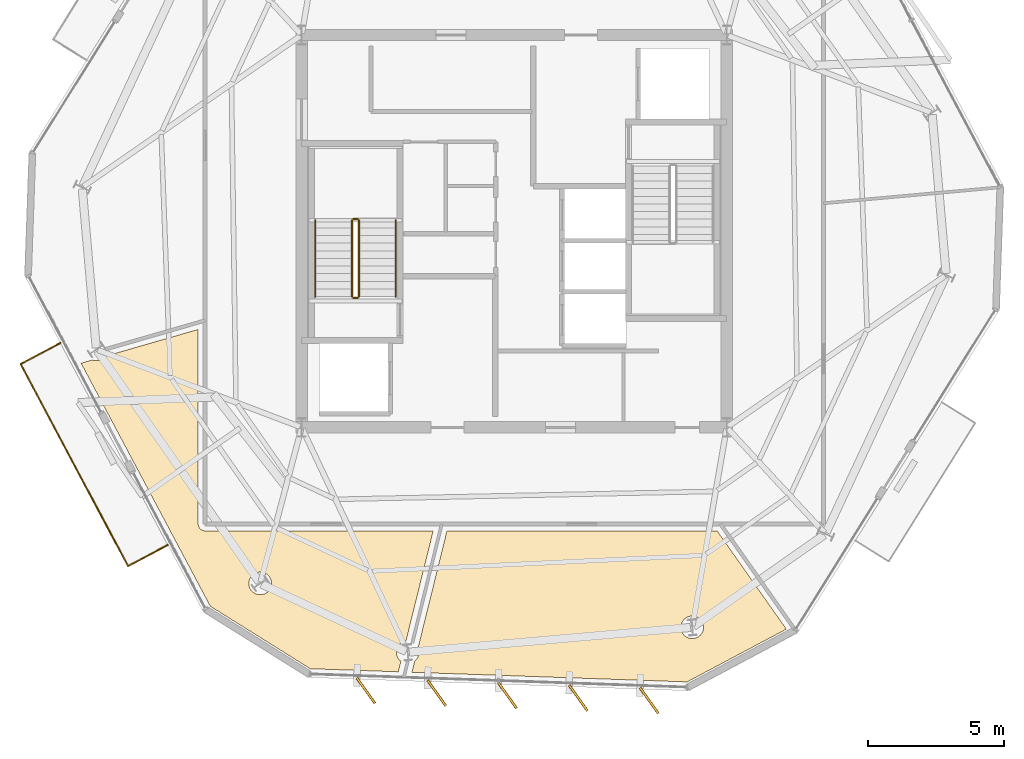
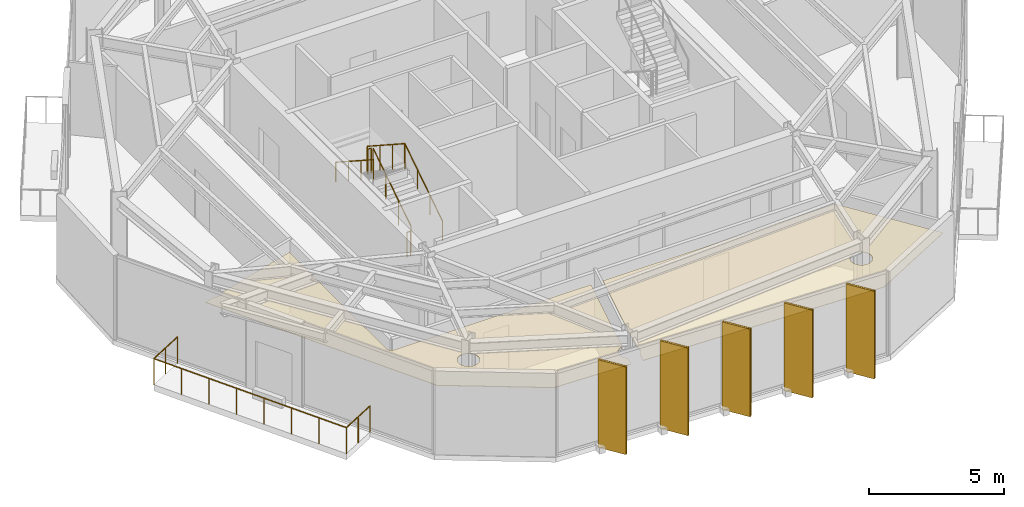
# One storey, part 10 of 12: 7 coverings, 7 railings, 5 shading devices.
"""IFC4 building model written with IfcOpenShell, lengths in metres."""

from ifc_helpers import new_model, si_unit, direction, frame, origin, origin_2d, place, context, subcontext, project, spatial, polyline, rectangle, circle, outline, extrude, material, layer, layer_set, type_object, element, save


model = new_model("IFC4")

# Units and contexts
model_context = context("Model", 3, precision=1e-05, world=origin(), true_north=direction((0.0, 1.0)))
body_context = subcontext(model_context, "Body", "Model", "MODEL_VIEW")
ifc_project = project(units=[si_unit("LENGTHUNIT", "METRE"), si_unit("AREAUNIT", "SQUARE_METRE"), si_unit("VOLUMEUNIT", "CUBIC_METRE"), si_unit("PLANEANGLEUNIT", "RADIAN"), si_unit("MASSUNIT", "GRAM", prefix="KILO")], contexts=[model_context])

# Site, building, storey
site_placement = place(None, origin())
site = spatial("IfcSite", under=ifc_project, at=site_placement, CompositionType="ELEMENT")
building_placement = place(site_placement, origin())
building = spatial("IfcBuilding", under=site, at=building_placement, Name="Kranzbogen Civic Tower", CompositionType="ELEMENT")
storey_placement = place(building_placement, frame((0.0, 0.0, 258.199951171875)))
storey = spatial("IfcBuildingStorey", under=building, at=storey_placement, Name="L62", CompositionType="ELEMENT", Elevation=258.199951171875)

# Coverings
ifc_material_1 = material(Name="Pale Anodised Aluminium", Category="aluminium")
ifc_layer_1 = layer(ifc_material_1, 0.02490234375, Name="Pale Anodised Aluminium")
ifc_layer_set_1 = layer_set([ifc_layer_1], Name="Pale Anodised Aluminium")
covering_type_1 = type_object("IfcCoveringType", Name="Anodised Aluminium Vertical Fin Cladding 25 mm", PredefinedType="CLADDING", material=ifc_layer_set_1)
for number, where, z_axis, x_axis, name in (
    (1, (19.55810546875, 8.139892578125, -0.139892578125), (0.0, 0.0, 1.0), (0.580404527791, -0.814328302419, 0.0), "L62 vertical fin pale-metal cladding F4-1"),
    (2, (22.156982421875, 8.049072265625, -0.139892578125), (0.0, 0.0, 1.0), (0.580404527791, -0.814328302419, 0.0), "L62 vertical fin pale-metal cladding F4-2"),
    (3, (24.7548828125, 7.9580078125, -0.139892578125), (0.0, 0.0, 1.0), (0.580404527791, -0.814328302419, 0.0), "L62 vertical fin pale-metal cladding F4-3"),
    (4, (27.35302734375, 7.866943359375, -0.139892578125), (0.0, 0.0, 1.0), (0.580404527791, -0.814328302419, 0.0), "L62 vertical fin pale-metal cladding F4-4"),
    (5, (29.951904296875, 7.777099609375, -0.139892578125), (0.0, 0.0, 1.0), (0.580404527791, -0.814328302419, 0.0), "L62 vertical fin pale-metal cladding F4-5"),
):
    element("IfcCovering", number, at=place(storey_placement, frame(where, z_axis=z_axis, x_axis=x_axis)), inside=storey, type_object=covering_type_1, Name=name, PredefinedType="CLADDING", context=body_context, shape_type="SweptSolid", body=[
        extrude(rectangle(XDim=1.14990234375, YDim=0.094970703125, at=origin_2d()), origin(), (0.0, 0.0, 1.0), 3.9599609375),
    ])

# Railings
ifc_material_2 = material(Name="Anodised Bronze Aluminium", Category="aluminium")
railing_type_1 = type_object("IfcRailingType", Name="Cantilevered Balcony Glass and Bronze Balustrade 1200", PredefinedType="BALUSTRADE", material=ifc_material_2)
railing_1_placement = place(storey_placement, frame((8.342041015625, 20.89892578125, 0.0)))
element("IfcRailing", 6, at=railing_1_placement, inside=storey, type_object=railing_type_1, Name="L62 exterior terrace balustrade L62-ST", PredefinedType="BALUSTRADE", context=body_context, shape_type="SweptSolid", body=[
    extrude(circle(Radius=0.02392578125, at=origin_2d()), frame((0.0, 0.0, 1.17578125), z_axis=(-0.882901098402, -0.469558995698, 0.0), x_axis=(0.469558995698, -0.882901098402, 0.0)), (0.0, 0.0, 1.0), 1.650390625),
    extrude(circle(Radius=0.02392578125, at=origin_2d()), frame((-1.45703125, -0.77490234375, 1.17578125), z_axis=(0.469444240138, -0.882962120026, 0.0), x_axis=(0.882962120026, 0.469444240138, 0.0)), (0.0, 0.0, 1.0), 8.39892578125),
    extrude(circle(Radius=0.02392578125, at=origin_2d()), frame((2.48583984375, -8.19091796875, 1.17578125), z_axis=(0.882901098402, 0.469558995698, 0.0), x_axis=(-0.469558995698, 0.882901098402, 0.0)), (0.0, 0.0, 1.0), 1.650390625),
    extrude(circle(Radius=0.02099609375, at=origin_2d()), origin(), (0.0, 0.0, 1.0), 1.15185546875),
    extrude(circle(Radius=0.02099609375, at=origin_2d()), frame((-0.728515625, -0.387451171875, 0.0)), (0.0, 0.0, 1.0), 1.15185546875),
    extrude(circle(Radius=0.02099609375, at=origin_2d()), frame((-1.45703125, -0.77490234375, 0.0)), (0.0, 0.0, 1.0), 1.15185546875),
    extrude(circle(Radius=0.02099609375, at=origin_2d()), frame((-0.893798828125, -1.834228515625, 0.0)), (0.0, 0.0, 1.0), 1.15185546875),
    extrude(circle(Radius=0.02099609375, at=origin_2d()), frame((-0.33056640625, -2.893798828125, 0.0)), (0.0, 0.0, 1.0), 1.15185546875),
    extrude(circle(Radius=0.02099609375, at=origin_2d()), frame((0.232666015625, -3.953125, 0.0)), (0.0, 0.0, 1.0), 1.15185546875),
    extrude(circle(Radius=0.02099609375, at=origin_2d()), frame((0.796142578125, -5.0126953125, 0.0)), (0.0, 0.0, 1.0), 1.15185546875),
    extrude(circle(Radius=0.02099609375, at=origin_2d()), frame((1.359375, -6.072021484375, 0.0)), (0.0, 0.0, 1.0), 1.15185546875),
    extrude(circle(Radius=0.02099609375, at=origin_2d()), frame((1.922607421875, -7.131591796875, 0.0)), (0.0, 0.0, 1.0), 1.15185546875),
    extrude(circle(Radius=0.02099609375, at=origin_2d()), frame((2.48583984375, -8.19091796875, 0.0)), (0.0, 0.0, 1.0), 1.15185546875),
    extrude(circle(Radius=0.02099609375, at=origin_2d()), frame((3.21435546875, -7.803466796875, 0.0)), (0.0, 0.0, 1.0), 1.15185546875),
    extrude(circle(Radius=0.02099609375, at=origin_2d()), frame((3.94287109375, -7.416015625, 0.0)), (0.0, 0.0, 1.0), 1.15185546875),
])
ifc_material_3 = material(Name="Steel S355", Category="steel")
railing_type_2 = type_object("IfcRailingType", Name="Internal Stair and Void Steel Guardrail 1150", PredefinedType="GUARDRAIL", material=ifc_material_3)
railing_2_placement = place(storey_placement, frame((19.300048828125, 22.60009765625, 0.181884765625)))
element("IfcRailing", 7, at=railing_2_placement, inside=storey, type_object=railing_type_2, Name="L62 ST-T1 stair guard 1", PredefinedType="GUARDRAIL", context=body_context, shape_type="SweptSolid", body=[
    extrude(circle(Radius=0.02392578125, at=origin_2d()), frame((0.0, 0.0, 1.1259765625), z_axis=(0.0, 0.83868413941, 0.544618136222), x_axis=(-1.0, 0.0, 0.0)), (0.0, 0.0, 1.0), 3.33837890625),
    extrude(circle(Radius=0.02099609375, at=origin_2d()), origin(), (0.0, 0.0, 1.0), 1.101806640625),
    extrude(circle(Radius=0.02099609375, at=origin_2d()), frame((0.0, 0.933349609375, 0.60595703125)), (0.0, 0.0, 1.0), 1.101806640625),
    extrude(circle(Radius=0.02099609375, at=origin_2d()), frame((0.0, 1.866455078125, 1.212158203125)), (0.0, 0.0, 1.0), 1.101806640625),
    extrude(circle(Radius=0.02099609375, at=origin_2d()), frame((0.0, 2.7998046875, 1.818115234375)), (0.0, 0.0, 1.0), 1.101806640625),
])
railing_3_placement = place(storey_placement, frame((19.25, 25.449951171875, 2.0)))
element("IfcRailing", 8, at=railing_3_placement, inside=storey, type_object=railing_type_2, Name="L62 ST-T1 stair guard 2", PredefinedType="GUARDRAIL", context=body_context, shape_type="SweptSolid", body=[
    extrude(circle(Radius=0.02392578125, at=origin_2d()), frame((0.0, 0.0, 1.1259765625), z_axis=(-1.0, 0.0, 0.0), x_axis=(0.0, -1.0, 0.0)), (0.0, 0.0, 1.0), 0.14990234375),
    extrude(circle(Radius=0.02099609375, at=origin_2d()), origin(), (0.0, 0.0, 1.0), 1.101806640625),
    extrude(circle(Radius=0.02099609375, at=origin_2d()), frame((-0.14990234375, 0.0, 0.0)), (0.0, 0.0, 1.0), 1.101806640625),
])
railing_4_placement = place(storey_placement, frame((19.050048828125, 25.39990234375, 2.181884765625)))
element("IfcRailing", 9, at=railing_4_placement, inside=storey, type_object=railing_type_2, Name="L62 ST-T1 stair guard 3", PredefinedType="GUARDRAIL", context=body_context, shape_type="SweptSolid", body=[
    extrude(circle(Radius=0.02392578125, at=origin_2d()), frame((0.0, 0.0, 1.1259765625), z_axis=(0.0, -0.83868413941, 0.544618136222), x_axis=(1.0, 0.0, 0.0)), (0.0, 0.0, 1.0), 3.33837890625),
    extrude(circle(Radius=0.02099609375, at=origin_2d()), origin(), (0.0, 0.0, 1.0), 1.101806640625),
    extrude(circle(Radius=0.02099609375, at=origin_2d()), frame((0.0, -0.933349609375, 0.60595703125)), (0.0, 0.0, 1.0), 1.101806640625),
    extrude(circle(Radius=0.02099609375, at=origin_2d()), frame((0.0, -1.866455078125, 1.212158203125)), (0.0, 0.0, 1.0), 1.101806640625),
    extrude(circle(Radius=0.02099609375, at=origin_2d()), frame((0.0, -2.7998046875, 1.818115234375)), (0.0, 0.0, 1.0), 1.101806640625),
])
railing_5_placement = place(storey_placement, frame((19.25, 22.550048828125, 0.0)))
element("IfcRailing", 10, at=railing_5_placement, inside=storey, type_object=railing_type_2, Name="L62 ST-T1 stair guard 4", PredefinedType="GUARDRAIL", context=body_context, shape_type="SweptSolid", body=[
    extrude(circle(Radius=0.02392578125, at=origin_2d()), frame((0.0, 0.0, 1.1259765625), z_axis=(-1.0, 0.0, 0.0), x_axis=(0.0, -1.0, 0.0)), (0.0, 0.0, 1.0), 0.14990234375),
    extrude(circle(Radius=0.02099609375, at=origin_2d()), origin(), (0.0, 0.0, 1.0), 1.101806640625),
    extrude(circle(Radius=0.02099609375, at=origin_2d()), frame((-0.14990234375, 0.0, 0.0)), (0.0, 0.0, 1.0), 1.101806640625),
])

# Shading devices
shading_device_type = type_object("IfcShadingDeviceType", Name="Pale Anodised Aluminium Crown Fin 1150x75", PredefinedType="USERDEFINED", material=ifc_material_1)
for number, where, z_axis, x_axis, name in (
    (11, (19.55810546875, 8.139892578125, -0.139892578125), (0.0, 0.0, 1.0), (0.580404527791, -0.814328302419, 0.0), "L62 vertical exterior shading fin F4-1"),
    (12, (22.156982421875, 8.049072265625, -0.139892578125), (0.0, 0.0, 1.0), (0.580404527791, -0.814328302419, 0.0), "L62 vertical exterior shading fin F4-2"),
    (13, (24.7548828125, 7.9580078125, -0.139892578125), (0.0, 0.0, 1.0), (0.580404527791, -0.814328302419, 0.0), "L62 vertical exterior shading fin F4-3"),
    (14, (27.35302734375, 7.866943359375, -0.139892578125), (0.0, 0.0, 1.0), (0.580404527791, -0.814328302419, 0.0), "L62 vertical exterior shading fin F4-4"),
    (15, (29.951904296875, 7.777099609375, -0.139892578125), (0.0, 0.0, 1.0), (0.580404527791, -0.814328302419, 0.0), "L62 vertical exterior shading fin F4-5"),
):
    element("IfcShadingDevice", number, at=place(storey_placement, frame(where, z_axis=z_axis, x_axis=x_axis)), inside=storey, type_object=shading_device_type, Name=name, ObjectType="FIN", PredefinedType="USERDEFINED", context=body_context, shape_type="SweptSolid", body=[
        extrude(rectangle(XDim=1.14990234375, YDim=0.074951171875, at=origin_2d()), origin(), (0.0, 0.0, 1.0), 3.9599609375),
    ])

# Coverings
ifc_material_4 = material(Name="Perforated Acoustic Gypsum Ceiling")
ifc_layer_2 = layer(ifc_material_4, 0.02490234375, Name="Perforated Acoustic Gypsum Ceiling")
ifc_layer_set_2 = layer_set([ifc_layer_2], Name="Perforated Acoustic Gypsum Ceiling")
covering_type_2 = type_object("IfcCoveringType", Name="Perforated Acoustic Mineral Ceiling Tile 25 mm", PredefinedType="CEILING", material=ifc_layer_set_2)
covering_1_placement = place(storey_placement, frame((0.0, 0.0, 2.900146484375)))
element("IfcCovering", 16, at=covering_1_placement, inside=storey, type_object=covering_type_2, Name="L62 Public Delegation Reception acoustic ceiling", PredefinedType="CEILING", context=body_context, shape_type="SweptSolid", body=[
    extrude(outline(polyline([(13.847900390625, 11.235107421875), (9.10595703125, 20.155029296875), (9.51708984375, 20.27294921875), (9.544921875, 20.262939453125), (9.5849609375, 20.25390625), (9.625, 20.248046875), (9.666015625, 20.24609375), (9.70703125, 20.248046875), (9.7470703125, 20.25390625), (9.787109375, 20.262939453125), (9.824951171875, 20.277099609375), (9.862060546875, 20.294921875), (9.89697265625, 20.31591796875), (9.929931640625, 20.340087890625), (9.9599609375, 20.366943359375), (9.987060546875, 20.39697265625), (9.998046875, 20.412109375), (13.405029296875, 21.39599609375), (13.405029296875, 14.25), (13.405029296875, 14.240966796875), (13.406005859375, 14.235107421875), (13.406982421875, 14.217041015625), (13.407958984375, 14.2109375), (13.412109375, 14.194091796875), (13.4130859375, 14.18701171875), (13.41796875, 14.169921875), (13.419921875, 14.1640625), (13.427001953125, 14.14794921875), (13.429931640625, 14.14208984375), (13.43798828125, 14.126953125), (13.44189453125, 14.12109375), (13.450927734375, 14.10693359375), (13.455078125, 14.10205078125), (13.466064453125, 14.087890625), (13.470947265625, 14.0830078125), (13.48291015625, 14.071044921875), (13.488037109375, 14.06591796875), (13.501953125, 14.054931640625), (13.507080078125, 14.051025390625), (13.52099609375, 14.0419921875), (13.527099609375, 14.0380859375), (13.5419921875, 14.030029296875), (13.548095703125, 14.027099609375), (13.56396484375, 14.02001953125), (13.570068359375, 14.01806640625), (13.5869140625, 14.012939453125), (13.593994140625, 14.011962890625), (13.611083984375, 14.008056640625), (13.616943359375, 14.007080078125), (13.635009765625, 14.006103515625), (13.64111328125, 14.0048828125), (13.64990234375, 14.0048828125), (22.028076171875, 14.0048828125), (21.028076171875, 9.9599609375), (21.010009765625, 9.95703125), (20.969970703125, 9.947998046875), (20.931884765625, 9.93408203125), (20.89501953125, 9.916015625), (20.860107421875, 9.89501953125), (20.826904296875, 9.87109375), (20.797119140625, 9.843994140625), (20.77001953125, 9.81396484375), (20.74609375, 9.781005859375), (20.72509765625, 9.74609375), (20.70703125, 9.708984375), (20.693115234375, 9.6708984375), (20.68408203125, 9.631103515625), (20.677978515625, 9.591064453125), (20.676025390625, 9.550048828125), (20.677978515625, 9.509033203125), (20.68408203125, 9.468994140625), (20.693115234375, 9.428955078125), (20.70703125, 9.39111328125), (20.72509765625, 9.35400390625), (20.74609375, 9.319091796875), (20.77001953125, 9.285888671875), (20.797119140625, 9.256103515625), (20.826904296875, 9.22900390625), (20.843994140625, 9.217041015625), (20.748046875, 8.830078125), (17.51611328125, 8.943115234375), (13.847900390625, 11.235107421875)]), holes=[polyline([(16.06201171875, 11.9150390625), (16.0439453125, 11.8779296875), (16.02294921875, 11.843017578125), (15.9990234375, 11.81005859375), (15.971923828125, 11.780029296875), (15.94189453125, 11.7529296875), (15.908935546875, 11.72900390625), (15.8740234375, 11.7080078125), (15.8369140625, 11.68994140625), (15.799072265625, 11.676025390625), (15.759033203125, 11.6669921875), (15.718994140625, 11.660888671875), (15.677978515625, 11.658935546875), (15.636962890625, 11.660888671875), (15.596923828125, 11.6669921875), (15.556884765625, 11.676025390625), (15.51904296875, 11.68994140625), (15.48193359375, 11.7080078125), (15.447021484375, 11.72900390625), (15.4140625, 11.7529296875), (15.384033203125, 11.780029296875), (15.35693359375, 11.81005859375), (15.3330078125, 11.843017578125), (15.31201171875, 11.8779296875), (15.2939453125, 11.9150390625), (15.280029296875, 11.952880859375), (15.27099609375, 11.992919921875), (15.264892578125, 12.032958984375), (15.262939453125, 12.073974609375), (15.264892578125, 12.114990234375), (15.27099609375, 12.155029296875), (15.280029296875, 12.195068359375), (15.2939453125, 12.23291015625), (15.31201171875, 12.27001953125), (15.3330078125, 12.304931640625), (15.35693359375, 12.337890625), (15.384033203125, 12.367919921875), (15.4140625, 12.39501953125), (15.447021484375, 12.4189453125), (15.48193359375, 12.43994140625), (15.51904296875, 12.4580078125), (15.556884765625, 12.471923828125), (15.596923828125, 12.48095703125), (15.636962890625, 12.487060546875), (15.677978515625, 12.489013671875), (15.718994140625, 12.487060546875), (15.759033203125, 12.48095703125), (15.799072265625, 12.471923828125), (15.8369140625, 12.4580078125), (15.8740234375, 12.43994140625), (15.908935546875, 12.4189453125), (15.94189453125, 12.39501953125), (15.971923828125, 12.367919921875), (15.9990234375, 12.337890625), (16.02294921875, 12.304931640625), (16.0439453125, 12.27001953125), (16.06201171875, 12.23291015625), (16.075927734375, 12.195068359375), (16.0849609375, 12.155029296875), (16.091064453125, 12.114990234375), (16.093017578125, 12.073974609375), (16.091064453125, 12.032958984375), (16.0849609375, 11.992919921875), (16.075927734375, 11.952880859375), (16.06201171875, 11.9150390625)])]), origin(), (0.0, 0.0, 1.0), 0.02490234375),
])
covering_2_placement = place(storey_placement, frame((0.0, 0.0, 2.900146484375)))
element("IfcCovering", 17, at=covering_2_placement, inside=storey, type_object=covering_type_2, Name="L62 Visitor Concierge Foyer acoustic ceiling", PredefinedType="CEILING", context=body_context, shape_type="SweptSolid", body=[
    extrude(outline(polyline([(21.2490234375, 8.81201171875), (21.35107421875, 9.22607421875), (21.35498046875, 9.22900390625), (21.385009765625, 9.256103515625), (21.412109375, 9.285888671875), (21.43603515625, 9.319091796875), (21.45703125, 9.35400390625), (21.47509765625, 9.39111328125), (21.489013671875, 9.428955078125), (21.498046875, 9.468994140625), (21.50390625, 9.509033203125), (21.506103515625, 9.550048828125), (21.50390625, 9.591064453125), (21.498046875, 9.631103515625), (21.489013671875, 9.6708984375), (21.47509765625, 9.708984375), (21.471923828125, 9.715087890625), (22.532958984375, 14.0048828125), (32.446044921875, 14.0048828125), (34.987060546875, 10.39697265625), (31.344970703125, 8.4599609375), (21.2490234375, 8.81201171875)]), holes=[polyline([(31.9169921875, 10.304931640625), (31.89892578125, 10.26806640625), (31.8779296875, 10.23291015625), (31.85400390625, 10.199951171875), (31.826904296875, 10.169921875), (31.797119140625, 10.14306640625), (31.763916015625, 10.118896484375), (31.72900390625, 10.097900390625), (31.69189453125, 10.080078125), (31.654052734375, 10.06591796875), (31.614013671875, 10.056884765625), (31.573974609375, 10.051025390625), (31.532958984375, 10.049072265625), (31.491943359375, 10.051025390625), (31.451904296875, 10.056884765625), (31.412109375, 10.06591796875), (31.3740234375, 10.080078125), (31.3369140625, 10.097900390625), (31.302001953125, 10.118896484375), (31.26904296875, 10.14306640625), (31.239013671875, 10.169921875), (31.2119140625, 10.199951171875), (31.18798828125, 10.23291015625), (31.1669921875, 10.26806640625), (31.14892578125, 10.304931640625), (31.135009765625, 10.343017578125), (31.1259765625, 10.383056640625), (31.1201171875, 10.423095703125), (31.117919921875, 10.464111328125), (31.1201171875, 10.5048828125), (31.1259765625, 10.544921875), (31.135009765625, 10.5849609375), (31.14892578125, 10.623046875), (31.1669921875, 10.659912109375), (31.18798828125, 10.695068359375), (31.2119140625, 10.72802734375), (31.239013671875, 10.758056640625), (31.26904296875, 10.784912109375), (31.302001953125, 10.80908203125), (31.3369140625, 10.830078125), (31.3740234375, 10.847900390625), (31.412109375, 10.862060546875), (31.451904296875, 10.87109375), (31.491943359375, 10.876953125), (31.532958984375, 10.87890625), (31.573974609375, 10.876953125), (31.614013671875, 10.87109375), (31.654052734375, 10.862060546875), (31.69189453125, 10.847900390625), (31.72900390625, 10.830078125), (31.763916015625, 10.80908203125), (31.797119140625, 10.784912109375), (31.826904296875, 10.758056640625), (31.85400390625, 10.72802734375), (31.8779296875, 10.695068359375), (31.89892578125, 10.659912109375), (31.9169921875, 10.623046875), (31.930908203125, 10.5849609375), (31.93994140625, 10.544921875), (31.946044921875, 10.5048828125), (31.947998046875, 10.464111328125), (31.946044921875, 10.423095703125), (31.93994140625, 10.383056640625), (31.930908203125, 10.343017578125), (31.9169921875, 10.304931640625)])]), origin(), (0.0, 0.0, 1.0), 0.02490234375),
])

# Railings
railing_type_3 = type_object("IfcRailingType", Name="Tubular Stainless Stair Wall Handrail 900", PredefinedType="HANDRAIL", material=ifc_material_1)
railing_6_placement = place(storey_placement, frame((20.64990234375, 22.60009765625, 0.181884765625)))
element("IfcRailing", 18, at=railing_6_placement, inside=storey, type_object=railing_type_3, Name="L62 ST-T1 stair handrail 1", PredefinedType="HANDRAIL", context=body_context, shape_type="SweptSolid", body=[
    extrude(circle(Radius=0.02392578125, at=origin_2d()), frame((0.0, 0.0, 0.8759765625), z_axis=(0.0, 0.83868413941, 0.544618136222), x_axis=(-1.0, 0.0, 0.0)), (0.0, 0.0, 1.0), 3.33837890625),
    extrude(circle(Radius=0.02099609375, at=origin_2d()), origin(), (0.0, 0.0, 1.0), 0.851806640625),
    extrude(circle(Radius=0.02099609375, at=origin_2d()), frame((0.0, 0.933349609375, 0.60595703125)), (0.0, 0.0, 1.0), 0.851806640625),
    extrude(circle(Radius=0.02099609375, at=origin_2d()), frame((0.0, 1.866455078125, 1.212158203125)), (0.0, 0.0, 1.0), 0.851806640625),
    extrude(circle(Radius=0.02099609375, at=origin_2d()), frame((0.0, 2.7998046875, 1.818115234375)), (0.0, 0.0, 1.0), 0.851806640625),
])
railing_7_placement = place(storey_placement, frame((17.699951171875, 25.39990234375, 2.181884765625)))
element("IfcRailing", 19, at=railing_7_placement, inside=storey, type_object=railing_type_3, Name="L62 ST-T1 stair handrail 2", PredefinedType="HANDRAIL", context=body_context, shape_type="SweptSolid", body=[
    extrude(circle(Radius=0.02392578125, at=origin_2d()), frame((0.0, 0.0, 0.8759765625), z_axis=(0.0, -0.83868413941, 0.544618136222), x_axis=(1.0, 0.0, 0.0)), (0.0, 0.0, 1.0), 3.33837890625),
    extrude(circle(Radius=0.02099609375, at=origin_2d()), origin(), (0.0, 0.0, 1.0), 0.851806640625),
    extrude(circle(Radius=0.02099609375, at=origin_2d()), frame((0.0, -0.933349609375, 0.60595703125)), (0.0, 0.0, 1.0), 0.851806640625),
    extrude(circle(Radius=0.02099609375, at=origin_2d()), frame((0.0, -1.866455078125, 1.212158203125)), (0.0, 0.0, 1.0), 0.851806640625),
    extrude(circle(Radius=0.02099609375, at=origin_2d()), frame((0.0, -2.7998046875, 1.818115234375)), (0.0, 0.0, 1.0), 0.851806640625),
])

save(model, "model.ifc")
